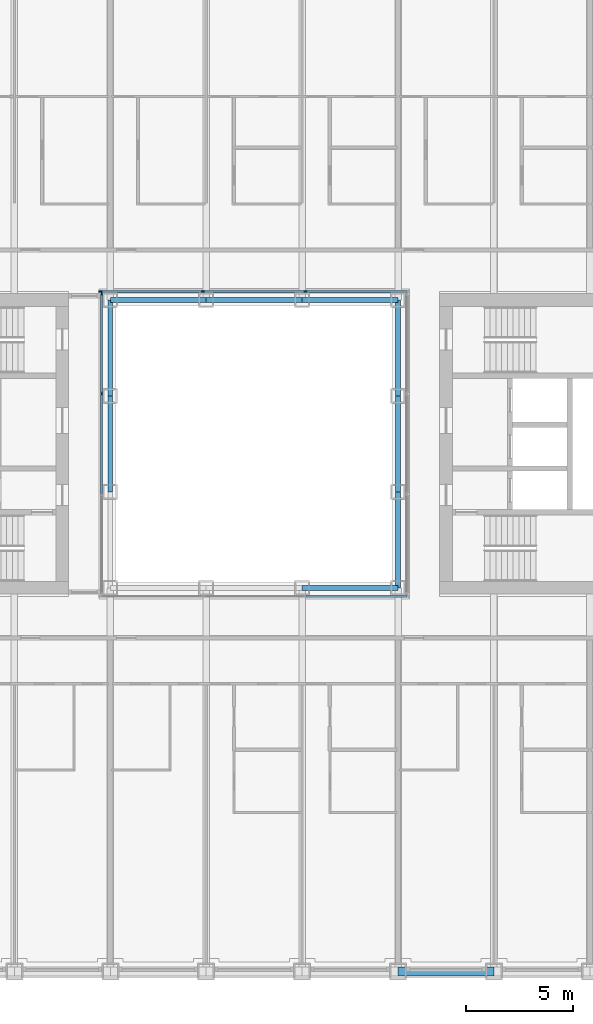
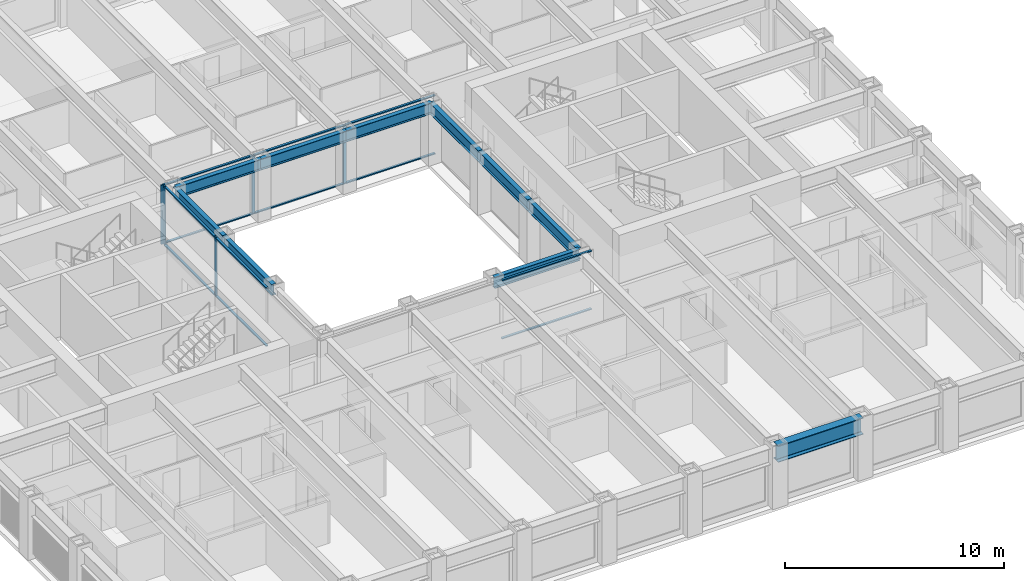
# One storey, part 4 of 21: 17 members, 10 beams, 3 elements without a shape of their own.
"""IFC4 building model written with IfcOpenShell, lengths in metres."""

from ifc_helpers import new_model, si_unit, direction, frame, origin, origin_2d, place, context, subcontext, project, spatial, rectangle, i_section, extrude, material, material_profile, profile_set, type_object, element, aggregate, save


model = new_model("IFC4")

# Units and contexts
model_context = context("Model", 3, precision=1e-05, world=origin(), true_north=direction((0.0, 1.0)))
body_context = subcontext(model_context, "Body", "Model", "MODEL_VIEW")
ifc_project = project(units=[si_unit("LENGTHUNIT", "METRE"), si_unit("AREAUNIT", "SQUARE_METRE"), si_unit("VOLUMEUNIT", "CUBIC_METRE"), si_unit("PLANEANGLEUNIT", "RADIAN"), si_unit("MASSUNIT", "GRAM", prefix="KILO")], contexts=[model_context])

# Site, building, storey
site_placement = place(None, origin())
site = spatial("IfcSite", under=ifc_project, at=site_placement, CompositionType="ELEMENT")
building_placement = place(site_placement, origin())
building = spatial("IfcBuilding", under=site, at=building_placement, Name="Msasa Ring Tower", CompositionType="ELEMENT")
storey_placement = place(building_placement, frame((0.0, 0.0, 47.5)))
storey = spatial("IfcBuildingStorey", under=building, at=storey_placement, Name="L11", CompositionType="ELEMENT", Elevation=47.5)

# Curtain wall, members
ifc_material_1 = material(Name="Aluminium curtain wall with clear glass", Category="aluminium")
curtain_wall_type = type_object("IfcCurtainWallType", Name="CW-W LIGHT WELL CURTAIN WALL", PredefinedType="NOTDEFINED", material=ifc_material_1)
curtain_wall_1_placement = place(storey_placement, origin())
curtain_wall_1 = element("IfcCurtainWall", 1, at=curtain_wall_1_placement, inside=storey, type_object=curtain_wall_type, Name="Light well curtain wall N L11", PredefinedType="NOTDEFINED")
ifc_material_2 = material(Name="Aluminium mullion", Category="aluminium")
ifc_material_profile_1 = material_profile(ifc_material_2, rectangle(XDim=0.06005859375, YDim=0.159912109375, at=origin_2d()), Name="AL 60x160")
ifc_profile_set_1 = profile_set([ifc_material_profile_1], Name="Aluminium mullion")
member_type_1 = type_object("IfcMemberType", Name="CW-W MULLION 60x160", PredefinedType="MULLION", material=ifc_profile_set_1)
member_1_placement = place(storey_placement, frame((-7.199951171875, 7.14990234375, 0.0), z_axis=(0.0, 0.0, 1.0), x_axis=(0.0, 1.0, 0.0)))
member_1 = element("IfcMember", 2, at=member_1_placement, type_object=member_type_1, Name="CW-W mullion 1", PredefinedType="MULLION", context=body_context, shape_type="SweptSolid", body=[
    extrude(rectangle(XDim=0.06005859375, YDim=0.159912109375, at=origin_2d()), origin(), (0.0, 0.0, 1.0), 3.300048828125),
])
member_2_placement = place(storey_placement, frame((-2.409912109375, 7.14990234375, 0.0), z_axis=(0.0, 0.0, 1.0), x_axis=(0.0, 1.0, 0.0)))
member_2 = element("IfcMember", 3, at=member_2_placement, type_object=member_type_1, Name="CW-W mullion 2", PredefinedType="MULLION", context=body_context, shape_type="SweptSolid", body=[
    extrude(rectangle(XDim=0.06005859375, YDim=0.159912109375, at=origin_2d()), origin(), (0.0, 0.0, 1.0), 3.300048828125),
])
member_3_placement = place(storey_placement, frame((2.409912109375, 7.14990234375, 0.0), z_axis=(0.0, 0.0, 1.0), x_axis=(0.0, 1.0, 0.0)))
member_3 = element("IfcMember", 4, at=member_3_placement, type_object=member_type_1, Name="CW-W mullion 3", PredefinedType="MULLION", context=body_context, shape_type="SweptSolid", body=[
    extrude(rectangle(XDim=0.06005859375, YDim=0.159912109375, at=origin_2d()), origin(), (0.0, 0.0, 1.0), 3.300048828125),
])

curtain_wall_2_placement = place(storey_placement, origin())
curtain_wall_2 = element("IfcCurtainWall", 5, at=curtain_wall_2_placement, inside=storey, type_object=curtain_wall_type, Name="Light well curtain wall W L11", PredefinedType="NOTDEFINED")
member_4_placement = place(storey_placement, frame((-7.14990234375, 2.356689453125, 0.0), z_axis=(0.0, 0.0, 1.0), x_axis=(-1.0, 0.0, 0.0)))
member_4 = element("IfcMember", 6, at=member_4_placement, type_object=member_type_1, Name="CW-W mullion 3", PredefinedType="MULLION", context=body_context, shape_type="SweptSolid", body=[
    extrude(rectangle(XDim=0.06005859375, YDim=0.159912109375, at=origin_2d()), origin(), (0.0, 0.0, 1.0), 3.300048828125),
])
member_5_placement = place(storey_placement, frame((-7.14990234375, 7.0400390625, 0.0), z_axis=(0.0, 0.0, 1.0), x_axis=(-1.0, 0.0, 0.0)))
member_5 = element("IfcMember", 7, at=member_5_placement, type_object=member_type_1, Name="CW-W mullion 4", PredefinedType="MULLION", context=body_context, shape_type="SweptSolid", body=[
    extrude(rectangle(XDim=0.06005859375, YDim=0.159912109375, at=origin_2d()), origin(), (0.0, 0.0, 1.0), 3.300048828125),
])

# Member
ifc_material_3 = material(Name="Aluminium transom", Category="aluminium")
ifc_material_profile_2 = material_profile(ifc_material_3, rectangle(XDim=0.1201171875, YDim=0.06005859375, at=origin_2d()), Name="AL 60x120")
ifc_profile_set_2 = profile_set([ifc_material_profile_2], Name="Aluminium transom")
member_type_2 = type_object("IfcMemberType", Name="CW-W TRANSOM 60x120", PredefinedType="USERDEFINED", material=ifc_profile_set_2)
member_6_placement = place(storey_placement, frame((-7.169921875, 7.14990234375, 0.030029296875), z_axis=(1.0, 0.0, 0.0), x_axis=(0.0, 1.0, 0.0)))
member_6 = element("IfcMember", 8, at=member_6_placement, type_object=member_type_2, Name="CW-W transom 1.1", ObjectType="TRANSOM", PredefinedType="USERDEFINED", context=body_context, shape_type="SweptSolid", body=[
    extrude(rectangle(XDim=0.1201171875, YDim=0.06005859375, at=origin_2d()), origin(), (0.0, 0.0, 1.0), 4.72998046875),
])

member_7_placement = place(storey_placement, frame((-7.169921875, 7.14990234375, 3.27001953125), z_axis=(1.0, 0.0, 0.0), x_axis=(0.0, 1.0, 0.0)))
member_7 = element("IfcMember", 9, at=member_7_placement, type_object=member_type_2, Name="CW-W transom 1.2", ObjectType="TRANSOM", PredefinedType="USERDEFINED", context=body_context, shape_type="SweptSolid", body=[
    extrude(rectangle(XDim=0.1201171875, YDim=0.06005859375, at=origin_2d()), origin(), (0.0, 0.0, 1.0), 4.72998046875),
])

member_8_placement = place(storey_placement, frame((-2.3798828125, 7.14990234375, 0.030029296875), z_axis=(1.0, 0.0, 0.0), x_axis=(0.0, 1.0, 0.0)))
member_8 = element("IfcMember", 10, at=member_8_placement, type_object=member_type_2, Name="CW-W transom 2.1", ObjectType="TRANSOM", PredefinedType="USERDEFINED", context=body_context, shape_type="SweptSolid", body=[
    extrude(rectangle(XDim=0.1201171875, YDim=0.06005859375, at=origin_2d()), origin(), (0.0, 0.0, 1.0), 4.759765625),
])

member_9_placement = place(storey_placement, frame((-2.3798828125, 7.14990234375, 3.27001953125), z_axis=(1.0, 0.0, 0.0), x_axis=(0.0, 1.0, 0.0)))
member_9 = element("IfcMember", 11, at=member_9_placement, type_object=member_type_2, Name="CW-W transom 2.2", ObjectType="TRANSOM", PredefinedType="USERDEFINED", context=body_context, shape_type="SweptSolid", body=[
    extrude(rectangle(XDim=0.1201171875, YDim=0.06005859375, at=origin_2d()), origin(), (0.0, 0.0, 1.0), 4.759765625),
])

member_10_placement = place(storey_placement, frame((2.43994140625, 7.14990234375, 0.030029296875), z_axis=(1.0, 0.0, 0.0), x_axis=(0.0, 1.0, 0.0)))
member_10 = element("IfcMember", 12, at=member_10_placement, type_object=member_type_2, Name="CW-W transom 3.1", ObjectType="TRANSOM", PredefinedType="USERDEFINED", context=body_context, shape_type="SweptSolid", body=[
    extrude(rectangle(XDim=0.1201171875, YDim=0.06005859375, at=origin_2d()), origin(), (0.0, 0.0, 1.0), 4.72998046875),
])

member_11_placement = place(storey_placement, frame((2.43994140625, 7.14990234375, 3.27001953125), z_axis=(1.0, 0.0, 0.0), x_axis=(0.0, 1.0, 0.0)))
member_11 = element("IfcMember", 13, at=member_11_placement, type_object=member_type_2, Name="CW-W transom 3.2", ObjectType="TRANSOM", PredefinedType="USERDEFINED", context=body_context, shape_type="SweptSolid", body=[
    extrude(rectangle(XDim=0.1201171875, YDim=0.06005859375, at=origin_2d()), origin(), (0.0, 0.0, 1.0), 4.72998046875),
])

aggregate(curtain_wall_1, [member_1, member_2, member_3, member_6, member_7, member_8, member_9, member_10, member_11])

# Curtain wall, members
curtain_wall_3_placement = place(storey_placement, origin())
curtain_wall_3 = element("IfcCurtainWall", 14, at=curtain_wall_3_placement, inside=storey, type_object=curtain_wall_type, Name="Light well curtain wall S L11", PredefinedType="NOTDEFINED")
member_12_placement = place(storey_placement, frame((2.43994140625, -7.14990234375, 0.030029296875), z_axis=(1.0, 0.0, 0.0), x_axis=(0.0, 1.0, 0.0)))
member_12 = element("IfcMember", 15, at=member_12_placement, type_object=member_type_2, Name="CW-W transom 3.1", ObjectType="TRANSOM", PredefinedType="USERDEFINED", context=body_context, shape_type="SweptSolid", body=[
    extrude(rectangle(XDim=0.1201171875, YDim=0.06005859375, at=origin_2d()), origin(), (0.0, 0.0, 1.0), 4.72998046875),
])
member_13_placement = place(storey_placement, frame((2.43994140625, -7.14990234375, 3.27001953125), z_axis=(1.0, 0.0, 0.0), x_axis=(0.0, 1.0, 0.0)))
member_13 = element("IfcMember", 16, at=member_13_placement, type_object=member_type_2, Name="CW-W transom 3.2", ObjectType="TRANSOM", PredefinedType="USERDEFINED", context=body_context, shape_type="SweptSolid", body=[
    extrude(rectangle(XDim=0.1201171875, YDim=0.06005859375, at=origin_2d()), origin(), (0.0, 0.0, 1.0), 4.72998046875),
])
aggregate(curtain_wall_3, [member_12, member_13])

# Member
member_14_placement = place(storey_placement, frame((-7.14990234375, -2.32666015625, 0.030029296875), z_axis=(0.0, 1.0, 0.0), x_axis=(-1.0, 0.0, 0.0)))
member_14 = element("IfcMember", 17, at=member_14_placement, type_object=member_type_2, Name="CW-W transom 2.1", ObjectType="TRANSOM", PredefinedType="USERDEFINED", context=body_context, shape_type="SweptSolid", body=[
    extrude(rectangle(XDim=0.1201171875, YDim=0.06005859375, at=origin_2d()), origin(), (0.0, 0.0, 1.0), 4.6533203125),
])

member_15_placement = place(storey_placement, frame((-7.14990234375, -2.32666015625, 3.27001953125), z_axis=(0.0, 1.0, 0.0), x_axis=(-1.0, 0.0, 0.0)))
member_15 = element("IfcMember", 18, at=member_15_placement, type_object=member_type_2, Name="CW-W transom 2.2", ObjectType="TRANSOM", PredefinedType="USERDEFINED", context=body_context, shape_type="SweptSolid", body=[
    extrude(rectangle(XDim=0.1201171875, YDim=0.06005859375, at=origin_2d()), origin(), (0.0, 0.0, 1.0), 4.6533203125),
])

member_16_placement = place(storey_placement, frame((-7.14990234375, 2.38671875, 0.030029296875), z_axis=(0.0, 1.0, 0.0), x_axis=(-1.0, 0.0, 0.0)))
member_16 = element("IfcMember", 19, at=member_16_placement, type_object=member_type_2, Name="CW-W transom 3.1", ObjectType="TRANSOM", PredefinedType="USERDEFINED", context=body_context, shape_type="SweptSolid", body=[
    extrude(rectangle(XDim=0.1201171875, YDim=0.06005859375, at=origin_2d()), origin(), (0.0, 0.0, 1.0), 4.623291015625),
])

member_17_placement = place(storey_placement, frame((-7.14990234375, 2.38671875, 3.27001953125), z_axis=(0.0, 1.0, 0.0), x_axis=(-1.0, 0.0, 0.0)))
member_17 = element("IfcMember", 20, at=member_17_placement, type_object=member_type_2, Name="CW-W transom 3.2", ObjectType="TRANSOM", PredefinedType="USERDEFINED", context=body_context, shape_type="SweptSolid", body=[
    extrude(rectangle(XDim=0.1201171875, YDim=0.06005859375, at=origin_2d()), origin(), (0.0, 0.0, 1.0), 4.623291015625),
])

aggregate(curtain_wall_2, [member_4, member_5, member_14, member_15, member_16, member_17])

# Beams
ifc_material_4 = material(Name="Steel S355", Category="steel")
ifc_material_profile_3 = material_profile(ifc_material_4, i_section(OverallWidth=0.230224609375, OverallDepth=0.6171875, WebThickness=0.01318359375, FlangeThickness=0.022216796875, FilletRadius=0.0126953125, at=origin_2d()), Name="UB 610x229x140")
ifc_profile_set_3 = profile_set([ifc_material_profile_3], Name="Steel S355")
beam_type_1 = type_object("IfcBeamType", Name="RB1 UB 610x229x140", PredefinedType="BEAM", material=ifc_profile_set_3)
for number, where, z_axis, x_axis, name in (
    (21, (2.25, -6.75, 2.991455078125), (1.0, 0.0, 0.0), (0.0, 1.0, 0.0), "Inner ring beam IR+2.25-6.75 under L12"),
    (22, (6.75, -6.75, 2.991455078125), (0.0, 1.0, 0.0), (-1.0, 0.0, 0.0), "Inner ring beam IR+6.75-6.75 under L12"),
    (23, (6.75, -2.25, 2.991455078125), (0.0, 1.0, 0.0), (-1.0, 0.0, 0.0), "Inner ring beam IR+6.75-2.25 under L12"),
    (24, (6.75, 2.25, 2.991455078125), (0.0, 1.0, 0.0), (-1.0, 0.0, 0.0), "Inner ring beam IR+6.75+2.25 under L12"),
    (25, (6.75, 6.75, 2.991455078125), (-1.0, 0.0, 0.0), (0.0, -1.0, 0.0), "Inner ring beam IR+6.75+6.75 under L12"),
    (26, (2.25, 6.75, 2.991455078125), (-1.0, 0.0, 0.0), (0.0, -1.0, 0.0), "Inner ring beam IR+2.25+6.75 under L12"),
    (27, (-2.25, 6.75, 2.991455078125), (-1.0, 0.0, 0.0), (0.0, -1.0, 0.0), "Inner ring beam IR-2.25+6.75 under L12"),
    (28, (-6.75, 6.75, 2.991455078125), (0.0, -1.0, 0.0), (1.0, 0.0, 0.0), "Inner ring beam IR-6.75+6.75 under L12"),
    (29, (-6.75, 2.25, 2.991455078125), (0.0, -1.0, 0.0), (1.0, 0.0, 0.0), "Inner ring beam IR-6.75+2.25 under L12"),
):
    element("IfcBeam", number, at=place(storey_placement, frame(where, z_axis=z_axis, x_axis=x_axis)), inside=storey, type_object=beam_type_1, Name=name, PredefinedType="BEAM", context=body_context, shape_type="SweptSolid", body=[
        extrude(i_section(OverallWidth=0.230224609375, OverallDepth=0.6171875, WebThickness=0.01318359375, FlangeThickness=0.022216796875, FilletRadius=0.0126953125, at=origin_2d()), origin(), (0.0, 0.0, 1.0), 4.5),
    ])
ifc_material_5 = material(Name="Steel S355", Category="steel")
ifc_material_profile_4 = material_profile(ifc_material_5, i_section(OverallWidth=0.42041015625, OverallDepth=0.9208984375, WebThickness=0.021484375, FlangeThickness=0.03662109375, FilletRadius=0.024169921875, at=origin_2d()), Name="UB 914x419x388")
ifc_profile_set_4 = profile_set([ifc_material_profile_4], Name="Steel S355")
beam_type_2 = type_object("IfcBeamType", Name="SB1 UB 914x419x388", PredefinedType="SPANDREL", material=ifc_profile_set_4)
beam_placement = place(storey_placement, frame((6.75, -24.75, 2.839599609375), z_axis=(1.0, 0.0, 0.0), x_axis=(0.0, 1.0, 0.0)))
element("IfcBeam", 30, at=beam_placement, inside=storey, type_object=beam_type_2, Name="Spandrel S+6.75 to S+11.25 under L12", PredefinedType="SPANDREL", context=body_context, shape_type="SweptSolid", body=[
    extrude(i_section(OverallWidth=0.42041015625, OverallDepth=0.9208984375, WebThickness=0.021484375, FlangeThickness=0.03662109375, FilletRadius=0.024169921875, at=origin_2d()), origin(), (0.0, 0.0, 1.0), 4.5),
])

save(model, "model.ifc")
